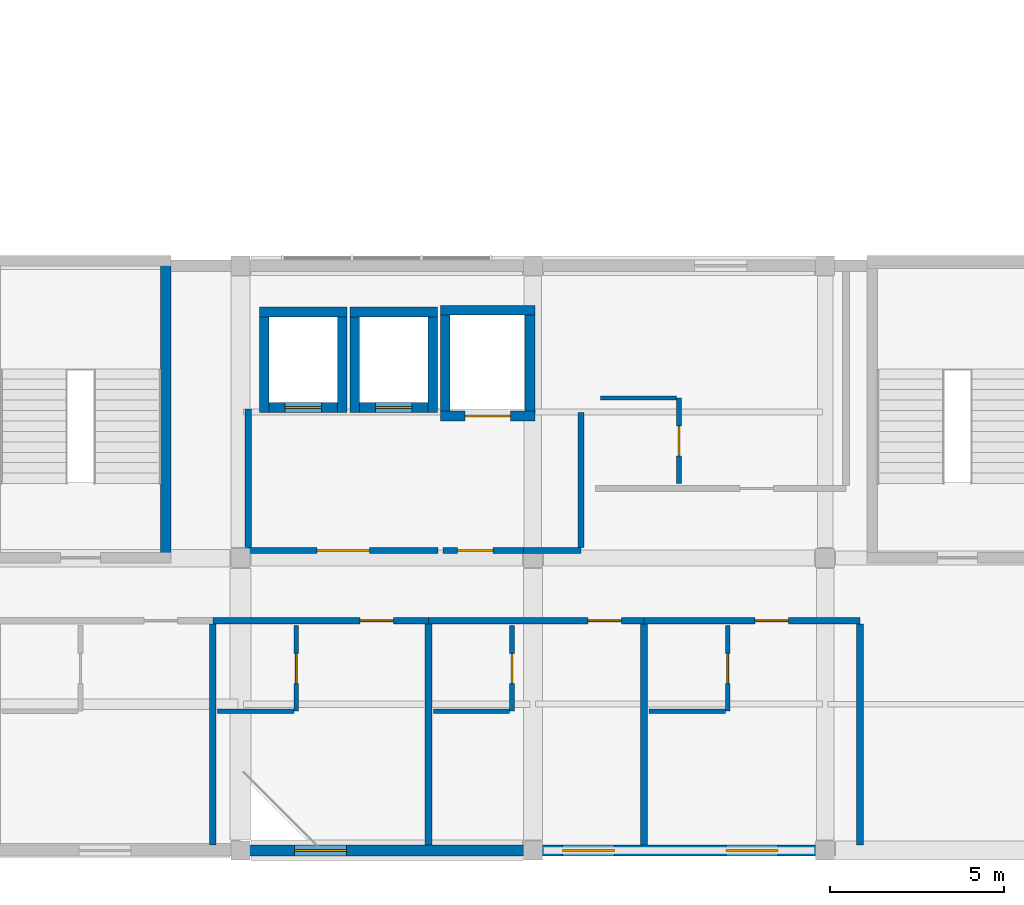
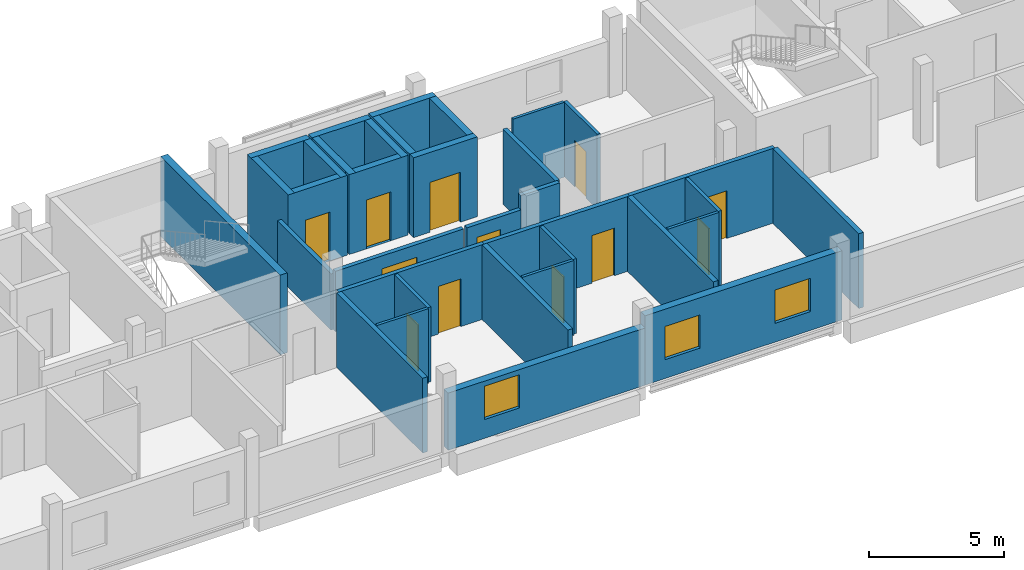
# One storey, part 18 of 26: 35 walls, 12 doors, 3 windows, 15 openings.
"""IFC4 building model written with IfcOpenShell, lengths in metres."""

import ifcopenshell
import ifcopenshell.guid

model = None  # the IFC model being written
_history = None  # IfcOwnerHistory: only IFC2X3 demands one
_inside = {}  # id of a spatial element -> (the spatial element, [elements in it])
_under = {}  # id of a project, library or spatial element -> (it, [spatial elements below it])
_declared = {}  # id of a project -> (the project, [libraries it declares])
_typed = {}  # id of a type object -> (the type object, [elements of that type])
_made_of = {}  # id of a material, layer set ... -> (it, [elements and type objects made of it])


def new_model(schema):
    """Start an empty IFC model of exactly this schema.

    Asked for "IFC4X3", IfcOpenShell would pick the latest addendum, in which some entities
    have other attributes; the version numbers below select the first issue.
    IFC2X3 requires an IfcOwnerHistory on every rooted entity: one is made here for all.
    """
    global model, _history
    if schema == "IFC4X3":
        model = ifcopenshell.file(schema_version=(4, 3, 0, 0))
    else:
        model = ifcopenshell.file(schema=schema)
    _inside.clear()
    _under.clear()
    _declared.clear()
    _typed.clear()
    _made_of.clear()
    _history = None
    if model.schema == "IFC2X3":
        org = make("IfcOrganization", Name="unknown")
        user = make(
            "IfcPersonAndOrganization",
            ThePerson=make("IfcPerson", FamilyName="unknown"),
            TheOrganization=org,
        )
        app = make(
            "IfcApplication",
            ApplicationDeveloper=org,
            Version="unknown",
            ApplicationFullName="unknown",
            ApplicationIdentifier="unknown",
        )
        _history = make(
            "IfcOwnerHistory",
            OwningUser=user,
            OwningApplication=app,
            ChangeAction="ADDED",
            CreationDate=0,
        )
    return model


def make(cls, **values):
    """One entity of the class cls with the attributes given. An attribute that is None is left unset."""
    return model.create_entity(
        cls, **{name: value for name, value in values.items() if value is not None}
    )


def rooted(cls, **values):
    """An entity with a GlobalId (a new one), such as an element, a storey or a relation."""
    return make(cls, GlobalId=ifcopenshell.guid.new(), OwnerHistory=_history, **values)


def si_unit(unit_type, name, prefix=None):
    """IfcSIUnit, for example si_unit("LENGTHUNIT", "METRE", prefix="MILLI")."""
    return make("IfcSIUnit", UnitType=unit_type, Prefix=prefix, Name=name)


def derived_unit(unit_type, elements):
    """IfcDerivedUnit: a product of units, each with its exponent."""
    return make(
        "IfcDerivedUnit",
        Elements=[
            make("IfcDerivedUnitElement", Unit=unit, Exponent=power)
            for unit, power in elements
        ],
        UnitType=unit_type,
    )


def assignment(units):
    """IfcUnitAssignment: the units of a project."""
    return None if units is None else make("IfcUnitAssignment", Units=units)


def point(xyz):
    """IfcCartesianPoint."""
    return None if xyz is None else make("IfcCartesianPoint", Coordinates=xyz)


def direction(xyz):
    """IfcDirection."""
    return None if xyz is None else make("IfcDirection", DirectionRatios=xyz)


def frame(location, z_axis=None, x_axis=None):
    """IfcAxis2Placement3D, a coordinate frame: its origin and axes. An axis left out is left unset."""
    return make(
        "IfcAxis2Placement3D",
        Location=point(location),
        Axis=direction(z_axis),
        RefDirection=direction(x_axis),
    )


def frame_2d(location, x_axis=None):
    """IfcAxis2Placement2D, a coordinate frame in the plane: its origin and x axis."""
    return make(
        "IfcAxis2Placement2D", Location=point(location), RefDirection=direction(x_axis)
    )


def origin():
    """The frame at (0, 0, 0) with its axes left unset."""
    return frame((0.0, 0.0, 0.0))


def place(relative_to, where):
    """IfcLocalPlacement: puts the frame where relative to a parent placement (None: the world)."""
    return make(
        "IfcLocalPlacement", PlacementRelTo=relative_to, RelativePlacement=where
    )


def context(
    kind, dimensions, precision=None, world=None, true_north=None, identifier=None
):
    """IfcGeometricRepresentationContext, for example the 3D "Model" context."""
    return make(
        "IfcGeometricRepresentationContext",
        ContextIdentifier=identifier,
        ContextType=kind,
        CoordinateSpaceDimension=dimensions,
        Precision=precision,
        WorldCoordinateSystem=world,
        TrueNorth=true_north,
    )


def subcontext(parent, identifier, kind, view, scale=None):
    """IfcGeometricRepresentationSubContext, for example "Body" below "Model"."""
    return make(
        "IfcGeometricRepresentationSubContext",
        ContextIdentifier=identifier,
        ContextType=kind,
        ParentContext=parent,
        TargetScale=scale,
        TargetView=view,
    )


def project(units=None, contexts=None):
    """IfcProject with its units and contexts."""
    return rooted(
        "IfcProject",
        Name="project",
        RepresentationContexts=contexts,
        UnitsInContext=assignment(units),
    )


def spatial(cls, under=None, at=None, **own):
    """A site, building, storey or space (cls), placed at a placement, below another one or the project."""
    s = rooted(cls, ObjectPlacement=at, **own)
    if under is not None:
        _under.setdefault(under.id(), (under, []))[1].append(s)
    return s


def profile(cls, at=None, kind="AREA", **sizes):
    """A parametric profile (cls). Its sizes go by their IFC names, for example OverallWidth=200.0."""
    return make(cls, ProfileType=kind, Position=at, **sizes)


def rectangle(**sizes):
    """IfcRectangleProfileDef."""
    return profile("IfcRectangleProfileDef", **sizes)


def extrude(swept, where, along, depth):
    """IfcExtrudedAreaSolid: the profile swept, set in the frame where, extruded along a direction by depth."""
    return make(
        "IfcExtrudedAreaSolid",
        SweptArea=swept,
        Position=where,
        ExtrudedDirection=direction(along),
        Depth=depth,
    )


def shape(context_of_items, identifier, shape_type, items):
    """IfcShapeRepresentation: the items that make up one representation, for example the "Body"."""
    return make(
        "IfcShapeRepresentation",
        ContextOfItems=context_of_items,
        RepresentationIdentifier=identifier,
        RepresentationType=shape_type,
        Items=items,
    )


def material(Name=None, Category=None):
    """IfcMaterial."""
    return make("IfcMaterial", Name=Name, Category=Category)


def layer(
    of_material, thickness, ventilated=None, Name=None, Category=None, Priority=None
):
    """IfcMaterialLayer: one layer of a wall or slab, of a material (None: an air gap)."""
    return make(
        "IfcMaterialLayer",
        Material=of_material,
        LayerThickness=thickness,
        IsVentilated=ventilated,
        Name=Name,
        Category=Category,
        Priority=Priority,
    )


def layer_set(layers, Name=None):
    """IfcMaterialLayerSet."""
    return make("IfcMaterialLayerSet", MaterialLayers=layers, LayerSetName=Name)


def made_of(thing, what):
    """Note that an element or type object is made of a material, layer set ...; save() writes the relation."""
    if what is not None:
        _made_of.setdefault(what.id(), (what, []))[1].append(thing)
    return thing


def type_object(cls, material=None, **own):
    """A type object (cls), such as IfcWallType, which elements share."""
    return made_of(rooted(cls, **own), material)


def element(
    cls,
    number,
    at=None,
    inside=None,
    cuts=None,
    type_object=None,
    material=None,
    context=None,
    identifier="Body",
    shape_type=None,
    held_by="IfcProductDefinitionShape",
    body=None,
    shapes=None,
    **own,
):
    """One element of the class cls, such as IfcWall. Its Tag is "e" and its number.

    at: its placement. inside: the storey or other place that contains it. cuts: it is an
    opening in that element (IfcRelVoidsElement). A single representation is given by context,
    identifier, shape_type and body (its items); several are given by shapes. held_by: the class
    of the entity that holds the representations. save() writes the other relations.
    """
    e = rooted(cls, Tag="e%d" % number, ObjectPlacement=at, **own)
    if body is not None:
        shapes = [shape(context, identifier, shape_type, body)]
    if shapes is not None:
        e.Representation = make(held_by, Representations=shapes)
    if inside is not None:
        _inside.setdefault(inside.id(), (inside, []))[1].append(e)
    if cuts is not None:
        rooted(
            "IfcRelVoidsElement", RelatingBuildingElement=cuts, RelatedOpeningElement=e
        )
    if type_object is not None:
        _typed.setdefault(type_object.id(), (type_object, []))[1].append(e)
    return made_of(e, material)


def fill(opening, filler):
    """IfcRelFillsElement: the door or window that sits in an opening."""
    return rooted(
        "IfcRelFillsElement",
        RelatingOpeningElement=opening,
        RelatedBuildingElement=filler,
    )


def aggregate(whole, parts):
    """IfcRelAggregates: a whole, such as a stair, and the parts it consists of."""
    return rooted("IfcRelAggregates", RelatingObject=whole, RelatedObjects=parts)


def save(model, path):
    """Write the relations noted so far, then the file.

    IfcRelAggregates (storeys below a building ...), IfcRelContainedInSpatialStructure (elements
    in a storey), IfcRelDefinesByType, IfcRelAssociatesMaterial and IfcRelDeclares: one each for
    every whole, place, type object, material and project.
    """
    for whole, parts in _under.values():
        aggregate(whole, parts)
    for where, things in _inside.values():
        rooted(
            "IfcRelContainedInSpatialStructure",
            RelatedElements=things,
            RelatingStructure=where,
        )
    for kind, things in _typed.values():
        rooted("IfcRelDefinesByType", RelatedObjects=things, RelatingType=kind)
    for what, things in _made_of.values():
        rooted("IfcRelAssociatesMaterial", RelatedObjects=things, RelatingMaterial=what)
    for by, libraries in _declared.values():
        rooted("IfcRelDeclares", RelatingContext=by, RelatedDefinitions=libraries)
    model.write(path)


model = new_model("IFC4")

# Units and contexts
model_context = context("Model", 3, precision=1e-05, world=origin(), true_north=direction((0.0, 1.0)))
body_context = subcontext(model_context, "Body", "Model", "MODEL_VIEW")
ifc_project = project(units=[si_unit("LENGTHUNIT", "METRE"), si_unit("AREAUNIT", "SQUARE_METRE"), si_unit("VOLUMEUNIT", "CUBIC_METRE"), si_unit("PLANEANGLEUNIT", "RADIAN"), si_unit("MASSUNIT", "GRAM", prefix="KILO"), derived_unit("THERMALTRANSMITTANCEUNIT", [(si_unit("POWERUNIT", "WATT"), 1), (si_unit("LENGTHUNIT", "METRE"), -2), (si_unit("THERMODYNAMICTEMPERATUREUNIT", "KELVIN"), -1)])], contexts=[model_context])

# Site, building, storey
site_placement = place(None, origin())
site = spatial("IfcSite", under=ifc_project, at=site_placement, CompositionType="ELEMENT")
building_placement = place(site_placement, origin())
building = spatial("IfcBuilding", under=site, at=building_placement, Name="Barrovel Congress Hotel", CompositionType="ELEMENT")
storey_placement = place(building_placement, frame((0.0, 0.0, 32.699951171875)))
storey = spatial("IfcBuildingStorey", under=building, at=storey_placement, Name="L08", CompositionType="ELEMENT", Elevation=32.699951171875)

# Wall, opening, window
ifc_material_1 = material(Name="Fired Clay Brick Masonry", Category="masonry")
ifc_layer_1 = layer(ifc_material_1, 0.320068359375)
ifc_layer_set_1 = layer_set([ifc_layer_1], Name="Fired Clay Brick Masonry")
wall_type_1 = type_object("IfcWallType", Name="EW-BRK320", PredefinedType="STANDARD", material=ifc_layer_set_1)
wall_1_placement = place(storey_placement, frame((84.0, 4.199951171875, 0.0), z_axis=(0.0, 0.0, 1.0), x_axis=(1.0, 0.0, 0.0)))
wall_1 = element("IfcWall", 1, at=wall_1_placement, inside=storey, type_object=wall_type_1, Name="EW:L08:HS-S:P09", PredefinedType="STANDARD", context=body_context, shape_type="SweptSolid", body=[
    extrude(rectangle(XDim=8.39990234375, YDim=0.320068359375, at=frame_2d((4.199951171875, 0.0))), origin(), (0.0, 0.0, 1.0), 2.580078125),
])
opening_1_placement = place(wall_1_placement, frame((1.550048828125, 0.0, 0.85009765625)))
opening_1 = element("IfcOpeningElement", 2, at=opening_1_placement, cuts=wall_1, Name="Opening WN-07", PredefinedType="OPENING", context=body_context, shape_type="SweptSolid", body=[
    extrude(rectangle(XDim=1.5, YDim=1.5, at=frame_2d((0.75, 0.75))), frame((0.0, 0.169921875, 0.0), z_axis=(0.0, -1.0, 0.0), x_axis=(1.0, 0.0, 0.0)), (0.0, 0.0, 1.0), 0.340087890625),
])
ifc_material_2 = material(Name="Double Low-E Insulated Glazing", Category="glass")
window_type = type_object("IfcWindowType", Name="WIN-WN-07", PartitioningType="SINGLE_PANEL", PredefinedType="WINDOW", material=ifc_material_2)
window_1_placement = place(opening_1_placement, origin())
window_1 = element("IfcWindow", 3, at=window_1_placement, inside=storey, type_object=window_type, Name="WIN:L08:U10", OverallHeight=1.5, OverallWidth=1.5, PartitioningType="SINGLE_PANEL", PredefinedType="WINDOW", context=body_context, shape_type="SweptSolid", body=[
    extrude(rectangle(XDim=1.5, YDim=1.5, at=frame_2d((0.75, 0.75))), frame((0.0, 0.030029296875, 0.0), z_axis=(0.0, -1.0, 0.0), x_axis=(1.0, 0.0, 0.0)), (0.0, 0.0, 1.0), 0.06005859375),
])
fill(opening_1, window_1)

# Wall, openings, windows
wall_2_placement = place(storey_placement, frame((92.39990234375, 4.199951171875, 0.0), z_axis=(0.0, 0.0, 1.0), x_axis=(1.0, 0.0, 0.0)))
wall_2 = element("IfcWall", 4, at=wall_2_placement, inside=storey, type_object=wall_type_1, Name="EW:L08:HS-S:P10", PredefinedType="STANDARD", context=body_context, shape_type="SweptSolid", body=[
    extrude(rectangle(XDim=8.400146484375, YDim=0.320068359375, at=frame_2d((4.2001953125, 0.0))), origin(), (0.0, 0.0, 1.0), 3.1259765625),
])
opening_2_placement = place(wall_2_placement, frame((0.85009765625, 0.0, 0.85009765625)))
opening_2 = element("IfcOpeningElement", 5, at=opening_2_placement, cuts=wall_2, Name="Opening WN-07", PredefinedType="OPENING", context=body_context, shape_type="SweptSolid", body=[
    extrude(rectangle(XDim=1.5, YDim=1.5, at=frame_2d((0.75, 0.75))), frame((0.0, 0.169921875, 0.0), z_axis=(0.0, -1.0, 0.0), x_axis=(1.0, 0.0, 0.0)), (0.0, 0.0, 1.0), 0.340087890625),
])
opening_3_placement = place(wall_2_placement, frame((5.550048828125, 0.0, 0.85009765625)))
opening_3 = element("IfcOpeningElement", 6, at=opening_3_placement, cuts=wall_2, Name="Opening WN-07", PredefinedType="OPENING", context=body_context, shape_type="SweptSolid", body=[
    extrude(rectangle(XDim=1.5, YDim=1.5, at=frame_2d((0.75, 0.75))), frame((0.0, 0.169921875, 0.0), z_axis=(0.0, -1.0, 0.0), x_axis=(1.0, 0.0, 0.0)), (0.0, 0.0, 1.0), 0.340087890625),
])
window_2_placement = place(opening_2_placement, origin())
window_2 = element("IfcWindow", 7, at=window_2_placement, inside=storey, type_object=window_type, Name="WIN:L08:U11", OverallHeight=1.5, OverallWidth=1.5, PartitioningType="SINGLE_PANEL", PredefinedType="WINDOW", context=body_context, shape_type="SweptSolid", body=[
    extrude(rectangle(XDim=1.5, YDim=1.5, at=frame_2d((0.75, 0.75))), frame((0.0, 0.030029296875, 0.0), z_axis=(0.0, -1.0, 0.0), x_axis=(1.0, 0.0, 0.0)), (0.0, 0.0, 1.0), 0.06005859375),
])
fill(opening_2, window_2)
window_3_placement = place(opening_3_placement, origin())
window_3 = element("IfcWindow", 8, at=window_3_placement, inside=storey, type_object=window_type, Name="WIN:L08:U12", OverallHeight=1.5, OverallWidth=1.5, PartitioningType="SINGLE_PANEL", PredefinedType="WINDOW", context=body_context, shape_type="SweptSolid", body=[
    extrude(rectangle(XDim=1.5, YDim=1.5, at=frame_2d((0.75, 0.75))), frame((0.0, 0.030029296875, 0.0), z_axis=(0.0, -1.0, 0.0), x_axis=(1.0, 0.0, 0.0)), (0.0, 0.0, 1.0), 0.06005859375),
])
fill(opening_3, window_3)

# Wall, opening, door
ifc_material_3 = material(Name="Gypsum Acoustic Stud", Category="gypsum")
ifc_layer_2 = layer(ifc_material_3, 0.179931640625)
ifc_layer_set_2 = layer_set([ifc_layer_2], Name="Gypsum Acoustic Stud")
wall_type_2 = type_object("IfcWallType", Name="PW-ACU-180", PredefinedType="PARTITIONING", material=ifc_layer_set_2)
wall_3_placement = place(storey_placement, frame((83.199951171875, 10.800048828125, 0.0), z_axis=(0.0, 0.0, 1.0), x_axis=(1.0, 0.0, 0.0)))
wall_3 = element("IfcWall", 9, at=wall_3_placement, inside=storey, type_object=wall_type_2, Name="PW:L08:U10:COR", PredefinedType="PARTITIONING", context=body_context, shape_type="SweptSolid", body=[
    extrude(rectangle(XDim=6.199951171875, YDim=0.179931640625, at=frame_2d((3.10009765625, 0.0))), origin(), (0.0, 0.0, 1.0), 3.375),
])
opening_4_placement = place(wall_3_placement, frame((4.23095703125, 0.0, 0.0)))
opening_4 = element("IfcOpeningElement", 10, at=opening_4_placement, cuts=wall_3, Name="Opening ID-HTL", PredefinedType="OPENING", context=body_context, shape_type="SweptSolid", body=[
    extrude(rectangle(XDim=0.9599609375, YDim=2.14990234375, at=frame_2d((0.47998046875, 1.074951171875))), frame((0.0, 0.10009765625, 0.0), z_axis=(0.0, -1.0, 0.0), x_axis=(1.0, 0.0, 0.0)), (0.0, 0.0, 1.0), 0.199951171875),
])
ifc_material_4 = material(Name="Solid Oak Acoustic Timber Door", Category="wood")
door_type_1 = type_object("IfcDoorType", Name="IDR-ID-HTL", OperationType="NOTDEFINED", PredefinedType="DOOR", material=ifc_material_4)
door_1_placement = place(opening_4_placement, origin())
door_1 = element("IfcDoor", 11, at=door_1_placement, inside=storey, type_object=door_type_1, Name="DR:L08:U10:ENT", OperationType="SINGLE_SWING_RIGHT", OverallHeight=2.14990234375, OverallWidth=0.9599609375, PredefinedType="DOOR", context=body_context, shape_type="SweptSolid", body=[
    extrude(rectangle(XDim=0.9599609375, YDim=2.14990234375, at=frame_2d((0.47998046875, 1.074951171875))), frame((0.0, 0.02490234375, 0.0), z_axis=(0.0, -1.0, 0.0), x_axis=(1.0, 0.0, 0.0)), (0.0, 0.0, 1.0), 0.050048828125),
])
fill(opening_4, door_1)

wall_4_placement = place(storey_placement, frame((89.39990234375, 10.800048828125, 0.0), z_axis=(0.0, 0.0, 1.0), x_axis=(1.0, 0.0, 0.0)))
wall_4 = element("IfcWall", 12, at=wall_4_placement, inside=storey, type_object=wall_type_2, Name="PW:L08:U11:COR", PredefinedType="PARTITIONING", context=body_context, shape_type="SweptSolid", body=[
    extrude(rectangle(XDim=6.2001953125, YDim=0.179931640625, at=frame_2d((3.10009765625, 0.0))), origin(), (0.0, 0.0, 1.0), 3.375),
])
opening_5_placement = place(wall_4_placement, frame((4.5810546875, 0.0, 0.0)))
opening_5 = element("IfcOpeningElement", 13, at=opening_5_placement, cuts=wall_4, Name="Opening ID-HTL", PredefinedType="OPENING", context=body_context, shape_type="SweptSolid", body=[
    extrude(rectangle(XDim=0.9599609375, YDim=2.14990234375, at=frame_2d((0.47998046875, 1.074951171875))), frame((0.0, 0.10009765625, 0.0), z_axis=(0.0, -1.0, 0.0), x_axis=(1.0, 0.0, 0.0)), (0.0, 0.0, 1.0), 0.199951171875),
])
door_2_placement = place(opening_5_placement, origin())
door_2 = element("IfcDoor", 14, at=door_2_placement, inside=storey, type_object=door_type_1, Name="DR:L08:U11:ENT", OperationType="SINGLE_SWING_RIGHT", OverallHeight=2.14990234375, OverallWidth=0.9599609375, PredefinedType="DOOR", context=body_context, shape_type="SweptSolid", body=[
    extrude(rectangle(XDim=0.9599609375, YDim=2.14990234375, at=frame_2d((0.47998046875, 1.074951171875))), frame((0.0, 0.02490234375, 0.0), z_axis=(0.0, -1.0, 0.0), x_axis=(1.0, 0.0, 0.0)), (0.0, 0.0, 1.0), 0.050048828125),
])
fill(opening_5, door_2)

wall_5_placement = place(storey_placement, frame((95.60009765625, 10.800048828125, 0.0), z_axis=(0.0, 0.0, 1.0), x_axis=(1.0, 0.0, 0.0)))
wall_5 = element("IfcWall", 15, at=wall_5_placement, inside=storey, type_object=wall_type_2, Name="PW:L08:U12:COR", PredefinedType="PARTITIONING", context=body_context, shape_type="SweptSolid", body=[
    extrude(rectangle(XDim=6.199951171875, YDim=0.179931640625, at=frame_2d((3.10009765625, 0.0))), origin(), (0.0, 0.0, 1.0), 3.375),
])
opening_6_placement = place(wall_5_placement, frame((3.180908203125, 0.0, 0.0)))
opening_6 = element("IfcOpeningElement", 16, at=opening_6_placement, cuts=wall_5, Name="Opening ID-HTL", PredefinedType="OPENING", context=body_context, shape_type="SweptSolid", body=[
    extrude(rectangle(XDim=0.9599609375, YDim=2.14990234375, at=frame_2d((0.47998046875, 1.074951171875))), frame((0.0, 0.10009765625, 0.0), z_axis=(0.0, -1.0, 0.0), x_axis=(1.0, 0.0, 0.0)), (0.0, 0.0, 1.0), 0.199951171875),
])
door_3_placement = place(opening_6_placement, origin())
door_3 = element("IfcDoor", 17, at=door_3_placement, inside=storey, type_object=door_type_1, Name="DR:L08:U12:ENT", OperationType="SINGLE_SWING_RIGHT", OverallHeight=2.14990234375, OverallWidth=0.9599609375, PredefinedType="DOOR", context=body_context, shape_type="SweptSolid", body=[
    extrude(rectangle(XDim=0.9599609375, YDim=2.14990234375, at=frame_2d((0.47998046875, 1.074951171875))), frame((0.0, 0.02490234375, 0.0), z_axis=(0.0, -1.0, 0.0), x_axis=(1.0, 0.0, 0.0)), (0.0, 0.0, 1.0), 0.050048828125),
])
fill(opening_6, door_3)

wall_6_placement = place(storey_placement, frame((84.219970703125, 12.820068359375, 0.0), z_axis=(0.0, 0.0, 1.0), x_axis=(1.0, 0.0, 0.0)))
wall_6 = element("IfcWall", 18, at=wall_6_placement, inside=storey, type_object=wall_type_2, Name="RW:SP:L08:LL-C2:S", PredefinedType="PARTITIONING", context=body_context, shape_type="SweptSolid", body=[
    extrude(rectangle(XDim=5.4599609375, YDim=0.179931640625, at=frame_2d((2.72998046875, 0.0))), origin(), (0.0, 0.0, 1.0), 2.72998046875),
])
opening_7_placement = place(wall_6_placement, frame((1.97998046875, 0.0, 0.0)))
opening_7 = element("IfcOpeningElement", 19, at=opening_7_placement, cuts=wall_6, Name="Opening ID-FFL", PredefinedType="OPENING", context=body_context, shape_type="SweptSolid", body=[
    extrude(rectangle(XDim=1.5, YDim=2.14990234375, at=frame_2d((0.75, 1.074951171875))), frame((0.0, 0.10009765625, 0.0), z_axis=(0.0, -1.0, 0.0), x_axis=(1.0, 0.0, 0.0)), (0.0, 0.0, 1.0), 0.199951171875),
])
ifc_material_5 = material(Name="Painted Hollow-Metal Steel Door", Category="steel")
door_type_2 = type_object("IfcDoorType", Name="IDR-ID-FFL", OperationType="NOTDEFINED", PredefinedType="DOOR", material=ifc_material_5)
door_4_placement = place(opening_7_placement, origin())
door_4 = element("IfcDoor", 20, at=door_4_placement, inside=storey, type_object=door_type_2, Name="RD:SP:L08:LL-C2", OperationType="DOUBLE_DOOR_SINGLE_SWING", OverallHeight=2.14990234375, OverallWidth=1.5, PredefinedType="DOOR", context=body_context, shape_type="SweptSolid", body=[
    extrude(rectangle(XDim=1.5, YDim=2.14990234375, at=frame_2d((0.75, 1.074951171875))), frame((0.0, 0.02490234375, 0.0), z_axis=(0.0, -1.0, 0.0), x_axis=(1.0, 0.0, 0.0)), (0.0, 0.0, 1.0), 0.050048828125),
])
fill(opening_7, door_4)

# Wall
wall_7_placement = place(storey_placement, frame((84.219970703125, 12.909912109375, 0.0), z_axis=(0.0, 0.0, 1.0), x_axis=(0.0, 1.0, 0.0)))
element("IfcWall", 21, at=wall_7_placement, inside=storey, type_object=wall_type_2, Name="RW:SP:L08:LL-C2:W", PredefinedType="PARTITIONING", context=body_context, shape_type="SweptSolid", body=[
    extrude(rectangle(XDim=3.969970703125, YDim=0.179931640625, at=frame_2d((1.98486328125, 0.0))), origin(), (0.0, 0.0, 1.0), 2.530029296875),
])

# Wall, opening, door
wall_8_placement = place(storey_placement, frame((89.820068359375, 12.820068359375, 0.0), z_axis=(0.0, 0.0, 1.0), x_axis=(1.0, 0.0, 0.0)))
wall_8 = element("IfcWall", 22, at=wall_8_placement, inside=storey, type_object=wall_type_2, Name="RW:SP:L08:LL-SL2:S", PredefinedType="PARTITIONING", context=body_context, shape_type="SweptSolid", body=[
    extrude(rectangle(XDim=2.304931640625, YDim=0.179931640625, at=frame_2d((1.15234375, 0.0))), origin(), (0.0, 0.0, 1.0), 2.72998046875),
])
opening_8_placement = place(wall_8_placement, frame((0.419921875, 0.0, 0.0)))
opening_8 = element("IfcOpeningElement", 23, at=opening_8_placement, cuts=wall_8, Name="Opening ID-ACC", PredefinedType="OPENING", context=body_context, shape_type="SweptSolid", body=[
    extrude(rectangle(XDim=1.02001953125, YDim=2.14990234375, at=frame_2d((0.510009765625, 1.074951171875))), frame((0.0, 0.10009765625, 0.0), z_axis=(0.0, -1.0, 0.0), x_axis=(1.0, 0.0, 0.0)), (0.0, 0.0, 1.0), 0.199951171875),
])
door_type_3 = type_object("IfcDoorType", Name="IDR-ID-ACC", OperationType="NOTDEFINED", PredefinedType="DOOR", material=ifc_material_4)
door_5_placement = place(opening_8_placement, origin())
door_5 = element("IfcDoor", 24, at=door_5_placement, inside=storey, type_object=door_type_3, Name="RD:SP:L08:LL-SL2", OperationType="SINGLE_SWING_LEFT", OverallHeight=2.14990234375, OverallWidth=1.02001953125, PredefinedType="DOOR", context=body_context, shape_type="SweptSolid", body=[
    extrude(rectangle(XDim=1.02001953125, YDim=2.14990234375, at=frame_2d((0.510009765625, 1.074951171875))), frame((0.0, 0.02490234375, 0.0), z_axis=(0.0, -1.0, 0.0), x_axis=(1.0, 0.0, 0.0)), (0.0, 0.0, 1.0), 0.050048828125),
])
fill(opening_8, door_5)

# Walls
wall_9_placement = place(storey_placement, frame((93.780029296875, 12.909912109375, 0.0), z_axis=(0.0, 0.0, 1.0), x_axis=(0.0, 1.0, 0.0)))
element("IfcWall", 25, at=wall_9_placement, inside=storey, type_object=wall_type_2, Name="RW:SP:L08:LL-SL2:E", PredefinedType="PARTITIONING", context=body_context, shape_type="SweptSolid", body=[
    extrude(rectangle(XDim=3.8701171875, YDim=0.179931640625, at=frame_2d((1.93505859375, 0.0))), origin(), (0.0, 0.0, 1.0), 3.375),
])
wall_10_placement = place(storey_placement, frame((92.125, 12.820068359375, 0.0), z_axis=(0.0, 0.0, 1.0), x_axis=(1.0, 0.0, 0.0)))
element("IfcWall", 26, at=wall_10_placement, inside=storey, type_object=wall_type_2, Name="RW:SP:L08:LL-SL2:S:P02", PredefinedType="PARTITIONING", context=body_context, shape_type="SweptSolid", body=[
    extrude(rectangle(XDim=1.655029296875, YDim=0.179931640625, at=frame_2d((0.82763671875, 0.0))), origin(), (0.0, 0.0, 1.0), 3.375),
])
ifc_layer_3 = layer(ifc_material_3, 0.1201171875)
ifc_layer_set_3 = layer_set([ifc_layer_3], Name="Gypsum Acoustic Stud")
wall_type_3 = type_object("IfcWallType", Name="PW-INT-120", PredefinedType="PARTITIONING", material=ifc_layer_set_3)
for number, where, z_axis, x_axis, name in (
    (27, (83.340087890625, 8.199951171875, 0.0), (0.0, 0.0, 1.0), (1.0, 0.0, 0.0), "PW:L08:U10:B2"),
    (28, (89.5400390625, 8.199951171875, 0.0), (0.0, 0.0, 1.0), (1.0, 0.0, 0.0), "PW:L08:U11:B2"),
    (29, (95.739990234375, 8.199951171875, 0.0), (0.0, 0.0, 1.0), (1.0, 0.0, 0.0), "PW:L08:U12:B2"),
    (30, (94.340087890625, 17.199951171875, 0.0), (0.0, 0.0, 1.0), (1.0, 0.0, 0.0), "PW:L08:U20:B2"),
):
    element("IfcWall", number, at=place(storey_placement, frame(where, z_axis=z_axis, x_axis=x_axis)), inside=storey, type_object=wall_type_3, Name=name, PredefinedType="PARTITIONING", context=body_context, shape_type="SweptSolid", body=[
        extrude(rectangle(XDim=2.18994140625, YDim=0.1201171875, at=frame_2d((1.094970703125, 0.0))), origin(), (0.0, 0.0, 1.0), 3.375),
    ])
ifc_layer_4 = layer(ifc_material_1, 0.199951171875)
ifc_layer_set_4 = layer_set([ifc_layer_4], Name="Fired Clay Brick Masonry")
wall_type_4 = type_object("IfcWallType", Name="PW-MAS-200", PredefinedType="PARTITIONING", material=ifc_layer_set_4)
for number, where, z_axis, x_axis, name in (
    (31, (83.199951171875, 4.360107421875, 0.0), (0.0, 0.0, 1.0), (0.0, 1.0, 0.0), "PW:L08:U09:DEM"),
    (32, (89.39990234375, 4.360107421875, 0.0), (0.0, 0.0, 1.0), (0.0, 1.0, 0.0), "PW:L08:U10:DEM"),
    (33, (95.60009765625, 4.360107421875, 0.0), (0.0, 0.0, 1.0), (0.0, 1.0, 0.0), "PW:L08:U11:DEM"),
    (34, (101.800048828125, 4.360107421875, 0.0), (0.0, 0.0, 1.0), (0.0, 1.0, 0.0), "PW:L08:U12:DEM"),
):
    element("IfcWall", number, at=place(storey_placement, frame(where, z_axis=z_axis, x_axis=x_axis)), inside=storey, type_object=wall_type_4, Name=name, PredefinedType="PARTITIONING", context=body_context, shape_type="SweptSolid", body=[
        extrude(rectangle(XDim=6.349853515625, YDim=0.199951171875, at=frame_2d((3.1748046875, 0.0))), origin(), (0.0, 0.0, 1.0), 3.375),
    ])

# Wall, opening, door
ifc_material_6 = material(Name="Gypsum Moisture Board", Category="gypsum")
ifc_layer_5 = layer(ifc_material_6, 0.139892578125)
ifc_layer_set_5 = layer_set([ifc_layer_5], Name="Gypsum Moisture Board")
wall_type_5 = type_object("IfcWallType", Name="PW-WET-140", PredefinedType="PARTITIONING", material=ifc_layer_set_5)
wall_11_placement = place(storey_placement, frame((85.60009765625, 8.199951171875, 0.0), z_axis=(0.0, 0.0, 1.0), x_axis=(0.0, 1.0, 0.0)))
wall_11 = element("IfcWall", 35, at=wall_11_placement, inside=storey, type_object=wall_type_5, Name="PW:L08:U10:B1", PredefinedType="PARTITIONING", context=body_context, shape_type="SweptSolid", body=[
    extrude(rectangle(XDim=2.4599609375, YDim=0.139892578125, at=frame_2d((1.22998046875, 0.0))), origin(), (0.0, 0.0, 1.0), 3.375),
])
opening_9_placement = place(wall_11_placement, frame((0.800048828125, 0.0, 0.0)))
opening_9 = element("IfcOpeningElement", 36, at=opening_9_placement, cuts=wall_11, Name="Opening ID-ENS", PredefinedType="OPENING", context=body_context, shape_type="SweptSolid", body=[
    extrude(rectangle(XDim=0.860107421875, YDim=2.10009765625, at=frame_2d((0.43017578125, 1.050048828125))), frame((0.0, 0.080078125, 0.0), z_axis=(0.0, -1.0, 0.0), x_axis=(1.0, 0.0, 0.0)), (0.0, 0.0, 1.0), 0.159912109375),
])
ifc_material_7 = material(Name="Lacquered Timber Moisture Door", Category="wood")
door_type_4 = type_object("IfcDoorType", Name="IDR-ID-ENS", OperationType="NOTDEFINED", PredefinedType="DOOR", material=ifc_material_7)
door_6_placement = place(opening_9_placement, origin())
door_6 = element("IfcDoor", 37, at=door_6_placement, inside=storey, type_object=door_type_4, Name="DR:L08:U10:ENS", OperationType="SINGLE_SWING_LEFT", OverallHeight=2.10009765625, OverallWidth=0.860107421875, PredefinedType="DOOR", context=body_context, shape_type="SweptSolid", body=[
    extrude(rectangle(XDim=0.860107421875, YDim=2.10009765625, at=frame_2d((0.43017578125, 1.050048828125))), frame((0.0, 0.02490234375, 0.0), z_axis=(0.0, -1.0, 0.0), x_axis=(1.0, 0.0, 0.0)), (0.0, 0.0, 1.0), 0.050048828125),
])
fill(opening_9, door_6)

wall_12_placement = place(storey_placement, frame((91.800048828125, 8.199951171875, 0.0), z_axis=(0.0, 0.0, 1.0), x_axis=(0.0, 1.0, 0.0)))
wall_12 = element("IfcWall", 38, at=wall_12_placement, inside=storey, type_object=wall_type_5, Name="PW:L08:U11:B1", PredefinedType="PARTITIONING", context=body_context, shape_type="SweptSolid", body=[
    extrude(rectangle(XDim=2.4599609375, YDim=0.139892578125, at=frame_2d((1.22998046875, 0.0))), origin(), (0.0, 0.0, 1.0), 3.375),
])
opening_10_placement = place(wall_12_placement, frame((0.800048828125, 0.0, 0.0)))
opening_10 = element("IfcOpeningElement", 39, at=opening_10_placement, cuts=wall_12, Name="Opening ID-ENS", PredefinedType="OPENING", context=body_context, shape_type="SweptSolid", body=[
    extrude(rectangle(XDim=0.860107421875, YDim=2.10009765625, at=frame_2d((0.43017578125, 1.050048828125))), frame((0.0, 0.080078125, 0.0), z_axis=(0.0, -1.0, 0.0), x_axis=(1.0, 0.0, 0.0)), (0.0, 0.0, 1.0), 0.159912109375),
])
door_7_placement = place(opening_10_placement, origin())
door_7 = element("IfcDoor", 40, at=door_7_placement, inside=storey, type_object=door_type_4, Name="DR:L08:U11:ENS", OperationType="SINGLE_SWING_LEFT", OverallHeight=2.10009765625, OverallWidth=0.860107421875, PredefinedType="DOOR", context=body_context, shape_type="SweptSolid", body=[
    extrude(rectangle(XDim=0.860107421875, YDim=2.10009765625, at=frame_2d((0.43017578125, 1.050048828125))), frame((0.0, 0.02490234375, 0.0), z_axis=(0.0, -1.0, 0.0), x_axis=(1.0, 0.0, 0.0)), (0.0, 0.0, 1.0), 0.050048828125),
])
fill(opening_10, door_7)

wall_13_placement = place(storey_placement, frame((98.0, 8.199951171875, 0.0), z_axis=(0.0, 0.0, 1.0), x_axis=(0.0, 1.0, 0.0)))
wall_13 = element("IfcWall", 41, at=wall_13_placement, inside=storey, type_object=wall_type_5, Name="PW:L08:U12:B1", PredefinedType="PARTITIONING", context=body_context, shape_type="SweptSolid", body=[
    extrude(rectangle(XDim=2.4599609375, YDim=0.139892578125, at=frame_2d((1.22998046875, 0.0))), origin(), (0.0, 0.0, 1.0), 3.375),
])
opening_11_placement = place(wall_13_placement, frame((0.800048828125, 0.0, 0.0)))
opening_11 = element("IfcOpeningElement", 42, at=opening_11_placement, cuts=wall_13, Name="Opening ID-ENS", PredefinedType="OPENING", context=body_context, shape_type="SweptSolid", body=[
    extrude(rectangle(XDim=0.860107421875, YDim=2.10009765625, at=frame_2d((0.43017578125, 1.050048828125))), frame((0.0, 0.080078125, 0.0), z_axis=(0.0, -1.0, 0.0), x_axis=(1.0, 0.0, 0.0)), (0.0, 0.0, 1.0), 0.159912109375),
])
door_8_placement = place(opening_11_placement, origin())
door_8 = element("IfcDoor", 43, at=door_8_placement, inside=storey, type_object=door_type_4, Name="DR:L08:U12:ENS", OperationType="SINGLE_SWING_LEFT", OverallHeight=2.10009765625, OverallWidth=0.860107421875, PredefinedType="DOOR", context=body_context, shape_type="SweptSolid", body=[
    extrude(rectangle(XDim=0.860107421875, YDim=2.10009765625, at=frame_2d((0.43017578125, 1.050048828125))), frame((0.0, 0.02490234375, 0.0), z_axis=(0.0, -1.0, 0.0), x_axis=(1.0, 0.0, 0.0)), (0.0, 0.0, 1.0), 0.050048828125),
])
fill(opening_11, door_8)

wall_14_placement = place(storey_placement, frame((96.60009765625, 14.739990234375, 0.0), z_axis=(0.0, 0.0, 1.0), x_axis=(0.0, 1.0, 0.0)))
wall_14 = element("IfcWall", 44, at=wall_14_placement, inside=storey, type_object=wall_type_5, Name="PW:L08:U20:B1", PredefinedType="PARTITIONING", context=body_context, shape_type="SweptSolid", body=[
    extrude(rectangle(XDim=2.4599609375, YDim=0.139892578125, at=frame_2d((1.22998046875, 0.0))), origin(), (0.0, 0.0, 1.0), 3.375),
])
opening_12_placement = place(wall_14_placement, frame((0.800048828125, 0.0, 0.0)))
opening_12 = element("IfcOpeningElement", 45, at=opening_12_placement, cuts=wall_14, Name="Opening ID-ENS", PredefinedType="OPENING", context=body_context, shape_type="SweptSolid", body=[
    extrude(rectangle(XDim=0.860107421875, YDim=2.10009765625, at=frame_2d((0.43017578125, 1.050048828125))), frame((0.0, 0.080078125, 0.0), z_axis=(0.0, -1.0, 0.0), x_axis=(1.0, 0.0, 0.0)), (0.0, 0.0, 1.0), 0.159912109375),
])
door_9_placement = place(opening_12_placement, origin())
door_9 = element("IfcDoor", 46, at=door_9_placement, inside=storey, type_object=door_type_4, Name="DR:L08:U20:ENS", OperationType="SINGLE_SWING_LEFT", OverallHeight=2.10009765625, OverallWidth=0.860107421875, PredefinedType="DOOR", context=body_context, shape_type="SweptSolid", body=[
    extrude(rectangle(XDim=0.860107421875, YDim=2.10009765625, at=frame_2d((0.43017578125, 1.050048828125))), frame((0.0, 0.02490234375, 0.0), z_axis=(0.0, -1.0, 0.0), x_axis=(1.0, 0.0, 0.0)), (0.0, 0.0, 1.0), 0.050048828125),
])
fill(opening_12, door_9)

ifc_material_8 = material(Name="Concrete C40", Category="concrete")
ifc_layer_6 = layer(ifc_material_8, 0.280029296875)
ifc_layer_set_6 = layer_set([ifc_layer_6], Name="Concrete C40")
wall_type_6 = type_object("IfcWallType", Name="SW-C40-280", PredefinedType="SHEAR", material=ifc_layer_set_6)
wall_15_placement = place(storey_placement, frame((84.5400390625, 16.929931640625, 0.0), z_axis=(0.0, 0.0, 1.0), x_axis=(1.0, 0.0, 0.0)))
wall_15 = element("IfcWall", 47, at=wall_15_placement, inside=storey, type_object=wall_type_6, Name="LSH:PL-3:L08:S", PredefinedType="SHEAR", context=body_context, shape_type="SweptSolid", body=[
    extrude(rectangle(XDim=2.52001953125, YDim=0.280029296875, at=frame_2d((1.260009765625, 0.0))), origin(), (0.0, 0.0, 1.0), 3.60009765625),
])
opening_13_placement = place(wall_15_placement, frame((0.735107421875, 0.0, 0.0)))
opening_13 = element("IfcOpeningElement", 48, at=opening_13_placement, cuts=wall_15, Name="Opening LD-PAX", PredefinedType="OPENING", context=body_context, shape_type="SweptSolid", body=[
    extrude(rectangle(XDim=1.050048828125, YDim=2.199951171875, at=frame_2d((0.52490234375, 1.10009765625))), frame((0.0, 0.14990234375, 0.0), z_axis=(0.0, -1.0, 0.0), x_axis=(1.0, 0.0, 0.0)), (0.0, 0.0, 1.0), 0.300048828125),
])
ifc_material_9 = material(Name="Brushed Stainless Steel", Category="steel")
door_type_5 = type_object("IfcDoorType", Name="IDR-LD-PAX", OperationType="NOTDEFINED", PredefinedType="DOOR", material=ifc_material_9)
door_10_placement = place(opening_13_placement, origin())
door_10 = element("IfcDoor", 49, at=door_10_placement, inside=storey, type_object=door_type_5, Name="Lift Landing Door LD-PL-3-L08", OperationType="SLIDING_TO_LEFT", OverallHeight=2.199951171875, OverallWidth=1.050048828125, PredefinedType="DOOR", context=body_context, shape_type="SweptSolid", body=[
    extrude(rectangle(XDim=1.050048828125, YDim=2.199951171875, at=frame_2d((0.52490234375, 1.10009765625))), frame((0.0, 0.02490234375, 0.0), z_axis=(0.0, -1.0, 0.0), x_axis=(1.0, 0.0, 0.0)), (0.0, 0.0, 1.0), 0.050048828125),
])
fill(opening_13, door_10)

# Walls
wall_16_placement = place(storey_placement, frame((86.919921875, 16.7900390625, 0.0), z_axis=(0.0, 0.0, 1.0), x_axis=(0.0, 1.0, 0.0)))
element("IfcWall", 50, at=wall_16_placement, inside=storey, type_object=wall_type_6, Name="LSH:PL-3:L08:E", PredefinedType="SHEAR", context=body_context, shape_type="SweptSolid", body=[
    extrude(rectangle(XDim=3.02001953125, YDim=0.280029296875, at=frame_2d((1.510009765625, 0.0))), origin(), (0.0, 0.0, 1.0), 3.60009765625),
])
wall_17_placement = place(storey_placement, frame((87.06005859375, 19.669921875, 0.0), z_axis=(0.0, 0.0, 1.0), x_axis=(-1.0, 0.0, 0.0)))
element("IfcWall", 51, at=wall_17_placement, inside=storey, type_object=wall_type_6, Name="LSH:PL-3:L08:N", PredefinedType="SHEAR", context=body_context, shape_type="SweptSolid", body=[
    extrude(rectangle(XDim=2.52001953125, YDim=0.280029296875, at=frame_2d((1.260009765625, 0.0))), origin(), (0.0, 0.0, 1.0), 3.60009765625),
])
wall_18_placement = place(storey_placement, frame((84.679931640625, 19.81005859375, 0.0), z_axis=(0.0, 0.0, 1.0), x_axis=(0.0, -1.0, 0.0)))
element("IfcWall", 52, at=wall_18_placement, inside=storey, type_object=wall_type_6, Name="LSH:PL-3:L08:W", PredefinedType="SHEAR", context=body_context, shape_type="SweptSolid", body=[
    extrude(rectangle(XDim=3.02001953125, YDim=0.280029296875, at=frame_2d((1.510009765625, 0.0))), origin(), (0.0, 0.0, 1.0), 3.60009765625),
])

# Wall, opening, door
wall_19_placement = place(storey_placement, frame((87.139892578125, 16.929931640625, 0.0), z_axis=(0.0, 0.0, 1.0), x_axis=(1.0, 0.0, 0.0)))
wall_19 = element("IfcWall", 53, at=wall_19_placement, inside=storey, type_object=wall_type_6, Name="LSH:PL-4:L08:S", PredefinedType="SHEAR", context=body_context, shape_type="SweptSolid", body=[
    extrude(rectangle(XDim=2.52001953125, YDim=0.280029296875, at=frame_2d((1.260009765625, 0.0))), origin(), (0.0, 0.0, 1.0), 3.60009765625),
])
opening_14_placement = place(wall_19_placement, frame((0.735107421875, 0.0, 0.0)))
opening_14 = element("IfcOpeningElement", 54, at=opening_14_placement, cuts=wall_19, Name="Opening LD-PAX", PredefinedType="OPENING", context=body_context, shape_type="SweptSolid", body=[
    extrude(rectangle(XDim=1.050048828125, YDim=2.199951171875, at=frame_2d((0.52490234375, 1.10009765625))), frame((0.0, 0.14990234375, 0.0), z_axis=(0.0, -1.0, 0.0), x_axis=(1.0, 0.0, 0.0)), (0.0, 0.0, 1.0), 0.300048828125),
])
door_11_placement = place(opening_14_placement, origin())
door_11 = element("IfcDoor", 55, at=door_11_placement, inside=storey, type_object=door_type_5, Name="Lift Landing Door LD-PL-4-L08", OperationType="SLIDING_TO_LEFT", OverallHeight=2.199951171875, OverallWidth=1.050048828125, PredefinedType="DOOR", context=body_context, shape_type="SweptSolid", body=[
    extrude(rectangle(XDim=1.050048828125, YDim=2.199951171875, at=frame_2d((0.52490234375, 1.10009765625))), frame((0.0, 0.02490234375, 0.0), z_axis=(0.0, -1.0, 0.0), x_axis=(1.0, 0.0, 0.0)), (0.0, 0.0, 1.0), 0.050048828125),
])
fill(opening_14, door_11)

# Walls
wall_20_placement = place(storey_placement, frame((89.52001953125, 16.7900390625, 0.0), z_axis=(0.0, 0.0, 1.0), x_axis=(0.0, 1.0, 0.0)))
element("IfcWall", 56, at=wall_20_placement, inside=storey, type_object=wall_type_6, Name="LSH:PL-4:L08:E", PredefinedType="SHEAR", context=body_context, shape_type="SweptSolid", body=[
    extrude(rectangle(XDim=3.02001953125, YDim=0.280029296875, at=frame_2d((1.510009765625, 0.0))), origin(), (0.0, 0.0, 1.0), 3.60009765625),
])
wall_21_placement = place(storey_placement, frame((89.659912109375, 19.669921875, 0.0), z_axis=(0.0, 0.0, 1.0), x_axis=(-1.0, 0.0, 0.0)))
element("IfcWall", 57, at=wall_21_placement, inside=storey, type_object=wall_type_6, Name="LSH:PL-4:L08:N", PredefinedType="SHEAR", context=body_context, shape_type="SweptSolid", body=[
    extrude(rectangle(XDim=2.52001953125, YDim=0.280029296875, at=frame_2d((1.260009765625, 0.0))), origin(), (0.0, 0.0, 1.0), 3.60009765625),
])
wall_22_placement = place(storey_placement, frame((87.280029296875, 19.81005859375, 0.0), z_axis=(0.0, 0.0, 1.0), x_axis=(0.0, -1.0, 0.0)))
element("IfcWall", 58, at=wall_22_placement, inside=storey, type_object=wall_type_6, Name="LSH:PL-4:L08:W", PredefinedType="SHEAR", context=body_context, shape_type="SweptSolid", body=[
    extrude(rectangle(XDim=3.02001953125, YDim=0.280029296875, at=frame_2d((1.510009765625, 0.0))), origin(), (0.0, 0.0, 1.0), 3.60009765625),
])

# Wall, opening, door
wall_23_placement = place(storey_placement, frame((89.739990234375, 16.679931640625, 0.0), z_axis=(0.0, 0.0, 1.0), x_axis=(1.0, 0.0, 0.0)))
wall_23 = element("IfcWall", 59, at=wall_23_placement, inside=storey, type_object=wall_type_6, Name="LSH:SL-2:L08:S", PredefinedType="SHEAR", context=body_context, shape_type="SweptSolid", body=[
    extrude(rectangle(XDim=2.719970703125, YDim=0.280029296875, at=frame_2d((1.35986328125, 0.0))), origin(), (0.0, 0.0, 1.0), 3.60009765625),
])
opening_15_placement = place(wall_23_placement, frame((0.7099609375, 0.0, 0.0)))
opening_15 = element("IfcOpeningElement", 60, at=opening_15_placement, cuts=wall_23, Name="Opening LD-SRV", PredefinedType="OPENING", context=body_context, shape_type="SweptSolid", body=[
    extrude(rectangle(XDim=1.300048828125, YDim=2.25, at=frame_2d((0.64990234375, 1.125))), frame((0.0, 0.14990234375, 0.0), z_axis=(0.0, -1.0, 0.0), x_axis=(1.0, 0.0, 0.0)), (0.0, 0.0, 1.0), 0.300048828125),
])
door_type_6 = type_object("IfcDoorType", Name="IDR-LD-SRV", OperationType="NOTDEFINED", PredefinedType="DOOR", material=ifc_material_9)
door_12_placement = place(opening_15_placement, origin())
door_12 = element("IfcDoor", 61, at=door_12_placement, inside=storey, type_object=door_type_6, Name="Lift Landing Door LD-SL-2-L08", OperationType="SLIDING_TO_LEFT", OverallHeight=2.25, OverallWidth=1.300048828125, PredefinedType="DOOR", context=body_context, shape_type="SweptSolid", body=[
    extrude(rectangle(XDim=1.300048828125, YDim=2.25, at=frame_2d((0.64990234375, 1.125))), frame((0.0, 0.02490234375, 0.0), z_axis=(0.0, -1.0, 0.0), x_axis=(1.0, 0.0, 0.0)), (0.0, 0.0, 1.0), 0.050048828125),
])
fill(opening_15, door_12)

# Walls
wall_24_placement = place(storey_placement, frame((92.320068359375, 16.5400390625, 0.0), z_axis=(0.0, 0.0, 1.0), x_axis=(0.0, 1.0, 0.0)))
element("IfcWall", 62, at=wall_24_placement, inside=storey, type_object=wall_type_6, Name="LSH:SL-2:L08:E", PredefinedType="SHEAR", context=body_context, shape_type="SweptSolid", body=[
    extrude(rectangle(XDim=3.320068359375, YDim=0.280029296875, at=frame_2d((1.66015625, 0.0))), origin(), (0.0, 0.0, 1.0), 3.60009765625),
])
wall_25_placement = place(storey_placement, frame((92.4599609375, 19.719970703125, 0.0), z_axis=(0.0, 0.0, 1.0), x_axis=(-1.0, 0.0, 0.0)))
element("IfcWall", 63, at=wall_25_placement, inside=storey, type_object=wall_type_6, Name="LSH:SL-2:L08:N", PredefinedType="SHEAR", context=body_context, shape_type="SweptSolid", body=[
    extrude(rectangle(XDim=2.719970703125, YDim=0.280029296875, at=frame_2d((1.35986328125, 0.0))), origin(), (0.0, 0.0, 1.0), 3.60009765625),
])
wall_26_placement = place(storey_placement, frame((89.8798828125, 19.860107421875, 0.0), z_axis=(0.0, 0.0, 1.0), x_axis=(0.0, -1.0, 0.0)))
element("IfcWall", 64, at=wall_26_placement, inside=storey, type_object=wall_type_6, Name="LSH:SL-2:L08:W", PredefinedType="SHEAR", context=body_context, shape_type="SweptSolid", body=[
    extrude(rectangle(XDim=3.320068359375, YDim=0.280029296875, at=frame_2d((1.66015625, 0.0))), origin(), (0.0, 0.0, 1.0), 3.60009765625),
])
ifc_layer_7 = layer(ifc_material_8, 0.300048828125)
ifc_layer_set_7 = layer_set([ifc_layer_7], Name="Concrete C40")
wall_type_7 = type_object("IfcWallType", Name="SW-C40-300", PredefinedType="SHEAR", material=ifc_layer_set_7)
wall_27_placement = place(storey_placement, frame((81.85009765625, 12.4599609375, 0.0), z_axis=(0.0, 0.0, 1.0), x_axis=(0.0, 1.0, 0.0)))
element("IfcWall", 65, at=wall_27_placement, inside=storey, type_object=wall_type_7, Name="SHW:XS-02:L08:E", PredefinedType="SHEAR", context=body_context, shape_type="SweptSolid", body=[
    extrude(rectangle(XDim=8.840087890625, YDim=0.300048828125, at=frame_2d((4.419921875, 0.0))), origin(), (0.0, 0.0, 1.0), 3.60009765625),
])

save(model, "model.ifc")
